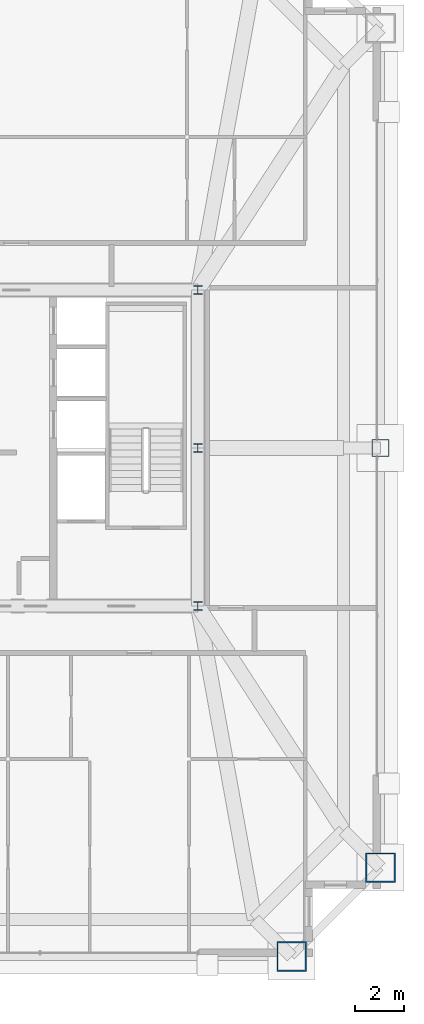
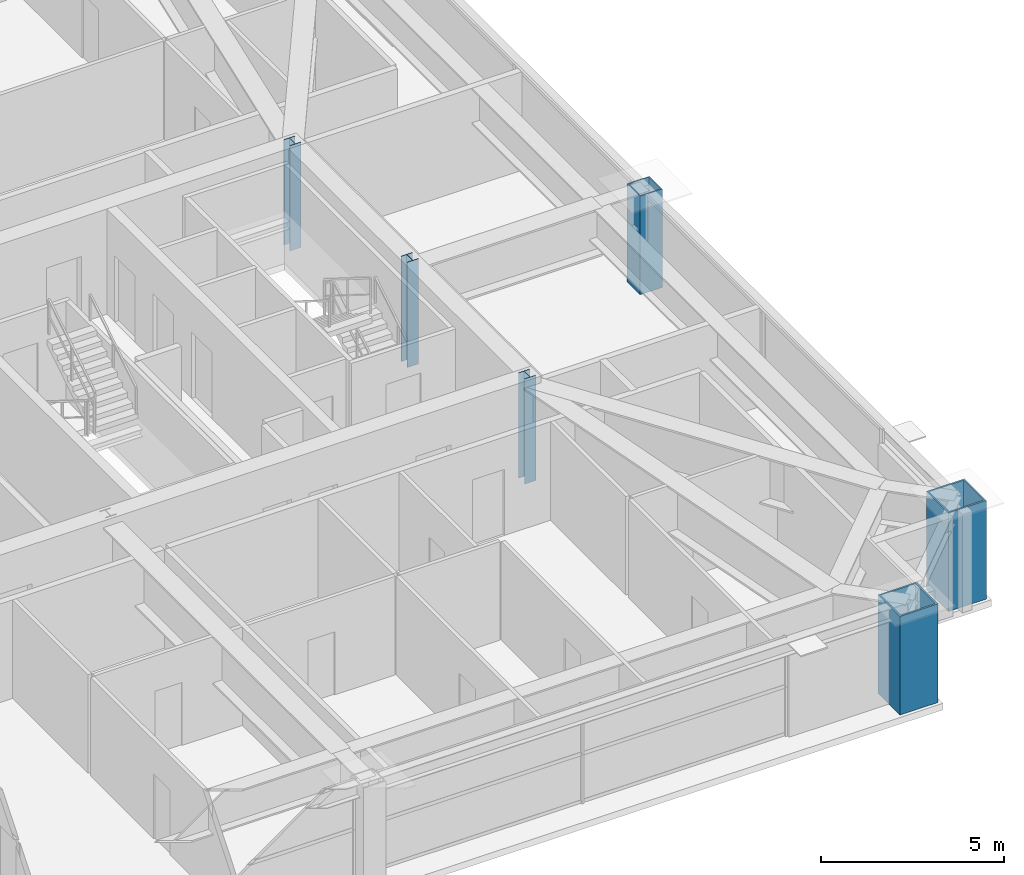
# One storey, part 2 of 33: 6 columns.
"""IFC4 building model written with IfcOpenShell, lengths in metres."""

from ifc_helpers import new_model, si_unit, direction, frame, origin, origin_2d, place, context, subcontext, project, spatial, hollow_rectangle, i_section, extrude, source, transform, mapped, material, material_profile, profile_set, type_object, element, save


model = new_model("IFC4")

# Units and contexts
model_context = context("Model", 3, precision=1e-05, world=origin(), true_north=direction((0.0, 1.0)))
body_context = subcontext(model_context, "Body", "Model", "MODEL_VIEW")
ifc_project = project(units=[si_unit("LENGTHUNIT", "METRE"), si_unit("AREAUNIT", "SQUARE_METRE"), si_unit("VOLUMEUNIT", "CUBIC_METRE"), si_unit("PLANEANGLEUNIT", "RADIAN"), si_unit("MASSUNIT", "GRAM", prefix="KILO"), si_unit("THERMODYNAMICTEMPERATUREUNIT", "KELVIN"), si_unit("POWERUNIT", "WATT")], contexts=[model_context])

# Site, building, storey
site_placement = place(None, origin())
site = spatial("IfcSite", under=ifc_project, at=site_placement, CompositionType="ELEMENT")
building_placement = place(site_placement, origin())
building = spatial("IfcBuilding", under=site, at=building_placement, Name="Yuzanri Waterfront Tower", CompositionType="ELEMENT")
storey_placement = place(building_placement, frame((0.0, 0.0, 282.10009765625)))
storey = spatial("IfcBuildingStorey", under=building, at=storey_placement, Name="L75", CompositionType="ELEMENT", Elevation=282.10009765625)

# Columns
ifc_material_1 = material(Name="Steel Q355B", Category="steel")
ifc_material_profile_1 = material_profile(ifc_material_1, i_section(OverallWidth=0.35009765625, OverallDepth=0.35009765625, WebThickness=0.011962890625, FlangeThickness=0.01904296875, at=origin_2d()), Name="HW 350x350x12x19")
ifc_profile_set_1 = profile_set([ifc_material_profile_1], Name="Steel Q355B")
column_type_1 = type_object("IfcColumnType", Name="Core Post Q355B HW 350x350x12x19", PredefinedType="COLUMN", material=ifc_profile_set_1)
shared_shape_1 = source(origin(), body_context, "Body", "SweptSolid", [
    extrude(i_section(OverallWidth=0.35009765625, OverallDepth=0.35009765625, WebThickness=0.011962890625, FlangeThickness=0.01904296875, at=origin_2d()), origin(), (0.0, 0.0, 1.0), 3.5),
])
for number, where, z_axis, x_axis, name in (
    (1, (50.199951171875, 19.39990234375, 0.0), (0.0, 0.0, 1.0), (1.0, 0.0, 0.0), "L75 Core Boundary Column CP3"),
    (2, (50.199951171875, 25.800048828125, 0.0), (0.0, 0.0, 1.0), (1.0, 0.0, 0.0), "L75 Core Boundary Column CP5"),
    (3, (50.199951171875, 32.199951171875, 0.0), (0.0, 0.0, 1.0), (1.0, 0.0, 0.0), "L75 Core Boundary Column CP8"),
):
    element("IfcColumn", number, at=place(storey_placement, frame(where, z_axis=z_axis, x_axis=x_axis)), inside=storey, type_object=column_type_1, Name=name, PredefinedType="COLUMN", context=body_context, shape_type="MappedRepresentation", body=[
        mapped(shared_shape_1, transform((0.0, 0.0, 0.0), scale=1.0)),
    ])
ifc_material_2 = material(Name="Steel Q390GJC", Category="steel")
ifc_material_profile_2 = material_profile(ifc_material_2, hollow_rectangle(XDim=1.199951171875, YDim=1.199951171875, WallThickness=0.054931640625, at=origin_2d()), Name="RHS 1200x1200x55")
ifc_profile_set_2 = profile_set([ifc_material_profile_2], Name="Steel Q390GJC")
column_type_2 = type_object("IfcColumnType", Name="Mega Column Q390GJC RHS 1200x1200x55", PredefinedType="COLUMN", material=ifc_profile_set_2)
shared_shape_2 = source(origin(), body_context, "Body", "SweptSolid", [
    extrude(hollow_rectangle(XDim=1.199951171875, YDim=1.199951171875, WallThickness=0.054931640625, at=origin_2d()), origin(), (0.0, 0.0, 1.0), 3.27978515625),
])
for number, where, z_axis, x_axis, name in (
    (4, (54.0, 5.199951171875, 0.0), (0.0, 0.0, 1.0), (1.0, 0.0, 0.0), "L75 Perimeter Mega Column S3"),
    (5, (57.60009765625, 8.800048828125, 0.0), (0.0, 0.0, 1.0), (1.0, 0.0, 0.0), "L75 Perimeter Mega Column E1"),
):
    element("IfcColumn", number, at=place(storey_placement, frame(where, z_axis=z_axis, x_axis=x_axis)), inside=storey, type_object=column_type_2, Name=name, PredefinedType="COLUMN", context=body_context, shape_type="MappedRepresentation", body=[
        mapped(shared_shape_2, transform((0.0, 0.0, 0.0), scale=1.0)),
    ])
ifc_material_3 = material(Name="Steel Q355B", Category="steel")
ifc_material_profile_3 = material_profile(ifc_material_3, hollow_rectangle(XDim=0.699951171875, YDim=0.699951171875, WallThickness=0.031982421875, at=origin_2d()), Name="RHS 700x700x32")
ifc_profile_set_3 = profile_set([ifc_material_profile_3], Name="Steel Q355B")
column_type_3 = type_object("IfcColumnType", Name="Frame Column Q355B RHS 700x700x32", PredefinedType="COLUMN", material=ifc_profile_set_3)
shared_shape_3 = source(origin(), body_context, "Body", "SweptSolid", [
    extrude(hollow_rectangle(XDim=0.699951171875, YDim=0.699951171875, WallThickness=0.031982421875, at=origin_2d()), origin(), (0.0, 0.0, 1.0), 3.27978515625),
])
column_placement = place(storey_placement, frame((57.60009765625, 25.800048828125, 0.0), z_axis=(0.0, 0.0, 1.0), x_axis=(1.0, 0.0, 0.0)))
element("IfcColumn", 6, at=column_placement, inside=storey, type_object=column_type_3, Name="L75 Perimeter Frame Column E2", PredefinedType="COLUMN", context=body_context, shape_type="MappedRepresentation", body=[
    mapped(shared_shape_3, transform((0.0, 0.0, 0.0), scale=1.0)),
])

save(model, "model.ifc")
